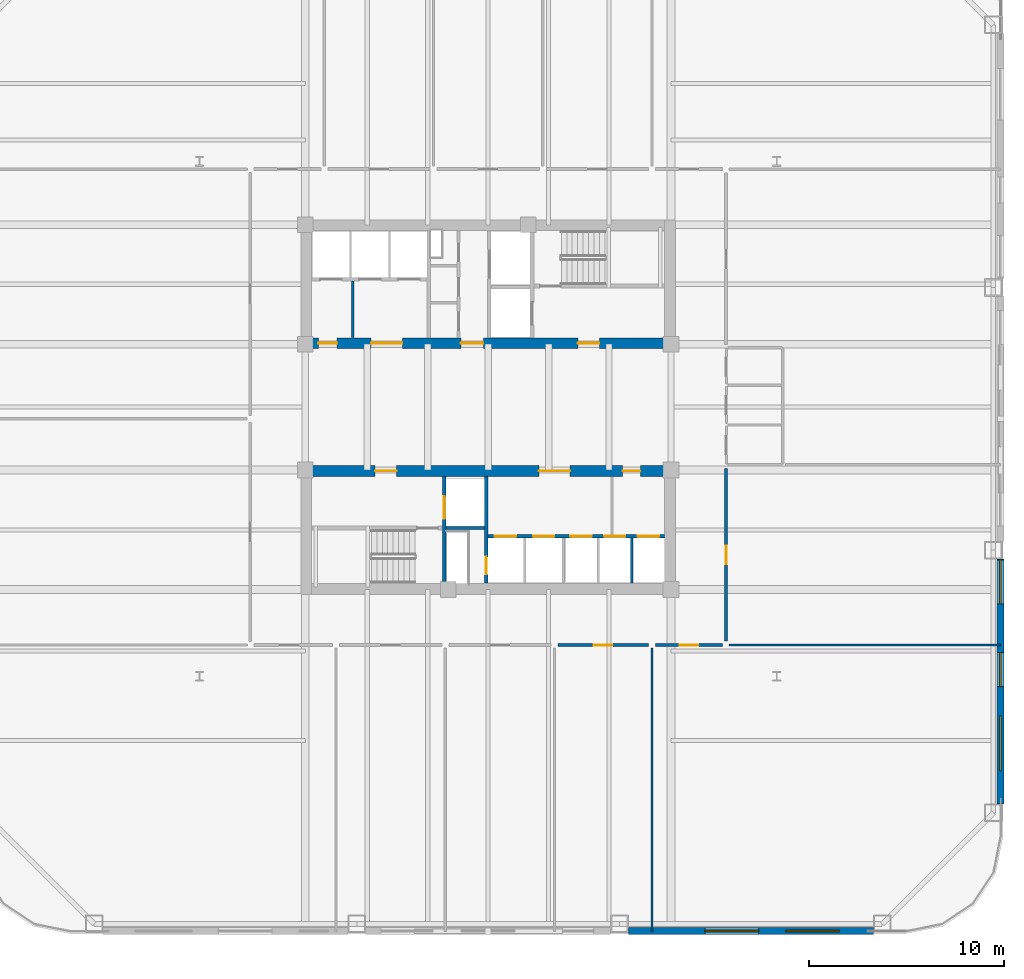
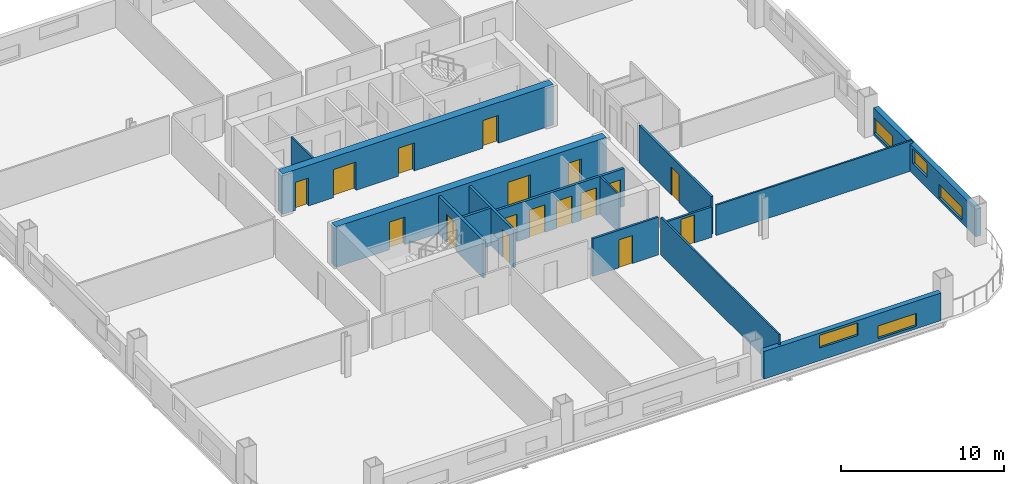
# One storey, part 3 of 12: 17 doors, 15 walls, 5 windows, 22 openings.
"""IFC4 building model written with IfcOpenShell, lengths in metres."""

from ifc_helpers import new_model, si_unit, direction, frame, frame_2d, origin, place, context, subcontext, project, spatial, rectangle, extrude, material, layer, layer_set, type_object, element, fill, save


model = new_model("IFC4")

# Units and contexts
model_context = context("Model", 3, precision=1e-05, world=origin(), true_north=direction((0.0, 1.0)))
body_context = subcontext(model_context, "Body", "Model", "MODEL_VIEW")
ifc_project = project(units=[si_unit("LENGTHUNIT", "METRE"), si_unit("AREAUNIT", "SQUARE_METRE"), si_unit("VOLUMEUNIT", "CUBIC_METRE"), si_unit("PLANEANGLEUNIT", "RADIAN"), si_unit("MASSUNIT", "GRAM", prefix="KILO")], contexts=[model_context])

# Site, building, storey
site_placement = place(None, origin())
site = spatial("IfcSite", under=ifc_project, at=site_placement, CompositionType="ELEMENT")
building_placement = place(site_placement, origin())
building = spatial("IfcBuilding", under=site, at=building_placement, Name="Qhalaya Broadcast Tower", CompositionType="ELEMENT")
storey_placement = place(building_placement, frame((0.0, 0.0, 41.35009765625)))
storey = spatial("IfcBuildingStorey", under=building, at=storey_placement, Name="L11", CompositionType="ELEMENT", Elevation=41.35009765625)

# Wall, opening, door
ifc_material_1 = material(Name="Gypsum Acoustic Partition")
ifc_layer_1 = layer(ifc_material_1, 0.14990234375, Name="Gypsum Acoustic Partition")
ifc_layer_set_1 = layer_set([ifc_layer_1], Name="Gypsum Acoustic Partition")
wall_type_1 = type_object("IfcWallType", Name="Corridor & Tenancy Acoustic Partition 150", PredefinedType="PARTITIONING", material=ifc_layer_set_1)
wall_1_placement = place(storey_placement, frame((3.580078125, -11.60009765625, 0.0), z_axis=(0.0, 0.0, 1.0), x_axis=(1.0, 0.0, 0.0)))
wall_1 = element("IfcWall", 1, at=wall_1_placement, inside=storey, type_object=wall_type_1, Name="L11 Partition Wall W-COR-09", PredefinedType="PARTITIONING", context=body_context, shape_type="SweptSolid", body=[
    extrude(rectangle(XDim=4.639892578125, YDim=0.14990234375, at=frame_2d((2.31982421875, 0.0))), origin(), (0.0, 0.0, 1.0), 2.829833984375),
])
opening_1_placement = place(wall_1_placement, frame((1.844970703125, 0.0, 0.0)))
opening_1 = element("IfcOpeningElement", 2, at=opening_1_placement, cuts=wall_1, Name="Opening D10", PredefinedType="OPENING", context=body_context, shape_type="SweptSolid", body=[
    extrude(rectangle(XDim=0.949951171875, YDim=2.10009765625, at=frame_2d((0.47509765625, 1.050048828125))), frame((0.0, 0.0869140625, 0.0), z_axis=(0.0, -1.0, 0.0), x_axis=(1.0, 0.0, 0.0)), (0.0, 0.0, 1.0), 0.173828125),
])
ifc_material_2 = material(Name="Timber Veneer Acoustic Door", Category="wood")
door_type_1 = type_object("IfcDoorType", Name="Cellular Office & Edit Booth Door D10", OperationType="NOTDEFINED", PredefinedType="DOOR", material=ifc_material_2)
door_1_placement = place(opening_1_placement, origin())
door_1 = element("IfcDoor", 3, at=door_1_placement, inside=storey, type_object=door_type_1, Name="L11 Door D-RM09", OperationType="SINGLE_SWING_LEFT", OverallHeight=2.10009765625, OverallWidth=0.949951171875, PredefinedType="DOOR", context=body_context, shape_type="SweptSolid", body=[
    extrude(rectangle(XDim=0.949951171875, YDim=2.10009765625, at=frame_2d((0.47509765625, 1.050048828125))), frame((0.0, 0.02490234375, 0.0), z_axis=(0.0, -1.0, 0.0), x_axis=(1.0, 0.0, 0.0)), (0.0, 0.0, 1.0), 0.050048828125),
])
fill(opening_1, door_1)

wall_2_placement = place(storey_placement, frame((8.580078125, -11.60009765625, 0.0), z_axis=(0.0, 0.0, 1.0), x_axis=(1.0, 0.0, 0.0)))
wall_2 = element("IfcWall", 4, at=wall_2_placement, inside=storey, type_object=wall_type_1, Name="L11 Partition Wall W-COR-10", PredefinedType="PARTITIONING", context=body_context, shape_type="SweptSolid", body=[
    extrude(rectangle(XDim=3.43994140625, YDim=0.14990234375, at=frame_2d((1.719970703125, 0.0))), origin(), (0.0, 0.0, 1.0), 2.27392578125),
])
opening_2_placement = place(wall_2_placement, frame((1.2451171875, 0.0, 0.0)))
opening_2 = element("IfcOpeningElement", 5, at=opening_2_placement, cuts=wall_2, Name="Opening D10", PredefinedType="OPENING", context=body_context, shape_type="SweptSolid", body=[
    extrude(rectangle(XDim=0.949951171875, YDim=2.10009765625, at=frame_2d((0.47509765625, 1.050048828125))), frame((0.0, 0.0869140625, 0.0), z_axis=(0.0, -1.0, 0.0), x_axis=(1.0, 0.0, 0.0)), (0.0, 0.0, 1.0), 0.173828125),
])
door_2_placement = place(opening_2_placement, origin())
door_2 = element("IfcDoor", 6, at=door_2_placement, inside=storey, type_object=door_type_1, Name="L11 Door D-RM10", OperationType="SINGLE_SWING_RIGHT", OverallHeight=2.10009765625, OverallWidth=0.949951171875, PredefinedType="DOOR", context=body_context, shape_type="SweptSolid", body=[
    extrude(rectangle(XDim=0.949951171875, YDim=2.10009765625, at=frame_2d((0.47509765625, 1.050048828125))), frame((0.0, 0.02490234375, 0.0), z_axis=(0.0, -1.0, 0.0), x_axis=(1.0, 0.0, 0.0)), (0.0, 0.0, 1.0), 0.050048828125),
])
fill(opening_2, door_2)

wall_3_placement = place(storey_placement, frame((12.199951171875, -11.39990234375, 0.0), z_axis=(0.0, 0.0, 1.0), x_axis=(0.0, 1.0, 0.0)))
wall_3 = element("IfcWall", 7, at=wall_3_placement, inside=storey, type_object=wall_type_1, Name="L11 Partition Wall W-COR-13", PredefinedType="PARTITIONING", context=body_context, shape_type="SweptSolid", body=[
    extrude(rectangle(XDim=8.83984375, YDim=0.14990234375, at=frame_2d((4.419921875, 0.0))), origin(), (0.0, 0.0, 1.0), 2.829833984375),
])
opening_3_placement = place(wall_3_placement, frame((3.945068359375, 0.0, 0.0)))
opening_3 = element("IfcOpeningElement", 8, at=opening_3_placement, cuts=wall_3, Name="Opening D10", PredefinedType="OPENING", context=body_context, shape_type="SweptSolid", body=[
    extrude(rectangle(XDim=0.949951171875, YDim=2.10009765625, at=frame_2d((0.47509765625, 1.050048828125))), frame((0.0, 0.0869140625, 0.0), z_axis=(0.0, -1.0, 0.0), x_axis=(1.0, 0.0, 0.0)), (0.0, 0.0, 1.0), 0.173828125),
])
door_3_placement = place(opening_3_placement, origin())
door_3 = element("IfcDoor", 9, at=door_3_placement, inside=storey, type_object=door_type_1, Name="L11 Door D-RM13", OperationType="SINGLE_SWING_LEFT", OverallHeight=2.10009765625, OverallWidth=0.949951171875, PredefinedType="DOOR", context=body_context, shape_type="SweptSolid", body=[
    extrude(rectangle(XDim=0.949951171875, YDim=2.10009765625, at=frame_2d((0.47509765625, 1.050048828125))), frame((0.0, 0.02490234375, 0.0), z_axis=(0.0, -1.0, 0.0), x_axis=(1.0, 0.0, 0.0)), (0.0, 0.0, 1.0), 0.050048828125),
])
fill(opening_3, door_3)

# Wall, openings, windows
ifc_material_3 = material(Name="Precast Concrete C40/50", Category="concrete")
ifc_layer_2 = layer(ifc_material_3, 0.360107421875, Name="Precast Concrete C40/50")
ifc_layer_set_2 = layer_set([ifc_layer_2], Name="Precast Concrete C40/50")
wall_type_2 = type_object("IfcWallType", Name="Insulated Precast Terracotta Exterior Wall 360", PredefinedType="SOLIDWALL", material=ifc_layer_set_2)
wall_4_placement = place(storey_placement, frame((19.761962890625, -26.260009765625, 0.0), z_axis=(0.0, 0.0, 1.0), x_axis=(-1.0, 0.0, 0.0)))
wall_4 = element("IfcWall", 10, at=wall_4_placement, inside=storey, type_object=wall_type_2, Name="L11 Exoskeleton Diagrid Infill Wall S1", PredefinedType="SOLIDWALL", context=body_context, shape_type="SweptSolid", body=[
    extrude(rectangle(XDim=12.57861328125, YDim=0.360107421875, at=frame_2d((6.289306640625, 0.0))), origin(), (0.0, 0.0, 1.0), 2.06689453125),
])
opening_4_placement = place(wall_4_placement, frame((1.75, 0.0, 0.199951171875)))
opening_4 = element("IfcOpeningElement", 11, at=opening_4_placement, cuts=wall_4, Name="Opening W11", PredefinedType="OPENING", context=body_context, shape_type="SweptSolid", body=[
    extrude(rectangle(XDim=2.75, YDim=0.949951171875, at=frame_2d((1.375, 0.47509765625))), frame((0.0, 0.192138671875, 0.0), z_axis=(0.0, -1.0, 0.0), x_axis=(1.0, 0.0, 0.0)), (0.0, 0.0, 1.0), 0.384033203125),
])
opening_5_placement = place(wall_4_placement, frame((5.89990234375, 0.0, 0.949951171875)))
opening_5 = element("IfcOpeningElement", 12, at=opening_5_placement, cuts=wall_4, Name="Opening W11", PredefinedType="OPENING", context=body_context, shape_type="SweptSolid", body=[
    extrude(rectangle(XDim=2.75, YDim=0.949951171875, at=frame_2d((1.375, 0.47509765625))), frame((0.0, 0.192138671875, 0.0), z_axis=(0.0, -1.0, 0.0), x_axis=(1.0, 0.0, 0.0)), (0.0, 0.0, 1.0), 0.384033203125),
])
ifc_material_4 = material(Name="Solar-Control Low-E Triple Glazing", Category="glass")
window_type = type_object("IfcWindowType", Name="Odd-Block Diagrid Infill Window W11", PartitioningType="SINGLE_PANEL", PredefinedType="WINDOW", material=ifc_material_4)
window_1_placement = place(opening_4_placement, origin())
window_1 = element("IfcWindow", 13, at=window_1_placement, inside=storey, type_object=window_type, Name="L11 Diagrid Infill Window W11-S1", OverallHeight=0.949951171875, OverallWidth=2.75, PartitioningType="SINGLE_PANEL", PredefinedType="WINDOW", context=body_context, shape_type="SweptSolid", body=[
    extrude(rectangle(XDim=2.75, YDim=0.949951171875, at=frame_2d((1.375, 0.47509765625))), frame((0.0, 0.030029296875, 0.0), z_axis=(0.0, -1.0, 0.0), x_axis=(1.0, 0.0, 0.0)), (0.0, 0.0, 1.0), 0.06005859375),
])
fill(opening_4, window_1)
window_2_placement = place(opening_5_placement, origin())
window_2 = element("IfcWindow", 14, at=window_2_placement, inside=storey, type_object=window_type, Name="L11 Diagrid Infill Window W11-S2", OverallHeight=0.949951171875, OverallWidth=2.75, PartitioningType="SINGLE_PANEL", PredefinedType="WINDOW", context=body_context, shape_type="SweptSolid", body=[
    extrude(rectangle(XDim=2.75, YDim=0.949951171875, at=frame_2d((1.375, 0.47509765625))), frame((0.0, 0.030029296875, 0.0), z_axis=(0.0, -1.0, 0.0), x_axis=(1.0, 0.0, 0.0)), (0.0, 0.0, 1.0), 0.06005859375),
])
fill(opening_5, window_2)

wall_5_placement = place(storey_placement, frame((26.260009765625, -7.183349609375, 0.0), z_axis=(0.0, 0.0, 1.0), x_axis=(0.0, -1.0, 0.0)))
wall_5 = element("IfcWall", 15, at=wall_5_placement, inside=storey, type_object=wall_type_2, Name="L11 Exoskeleton Diagrid Infill Wall E3", PredefinedType="SOLIDWALL", context=body_context, shape_type="SweptSolid", body=[
    extrude(rectangle(XDim=12.57861328125, YDim=0.360107421875, at=frame_2d((6.289306640625, 0.0))), origin(), (0.0, 0.0, 1.0), 2.06689453125),
])
opening_6_placement = place(wall_5_placement, frame((0.054931640625, 0.0, 0.199951171875)))
opening_6 = element("IfcOpeningElement", 16, at=opening_6_placement, cuts=wall_5, Name="Opening W11", PredefinedType="OPENING", context=body_context, shape_type="SweptSolid", body=[
    extrude(rectangle(XDim=2.25, YDim=1.14990234375, at=frame_2d((1.125, 0.574951171875))), frame((0.0, 0.192138671875, 0.0), z_axis=(0.0, -1.0, 0.0), x_axis=(1.0, 0.0, 0.0)), (0.0, 0.0, 1.0), 0.384033203125),
])
opening_7_placement = place(wall_5_placement, frame((4.804931640625, 0.0, 0.800048828125)))
opening_7 = element("IfcOpeningElement", 17, at=opening_7_placement, cuts=wall_5, Name="Opening W11", PredefinedType="OPENING", context=body_context, shape_type="SweptSolid", body=[
    extrude(rectangle(XDim=1.75, YDim=1.10009765625, at=frame_2d((0.875, 0.550048828125))), frame((0.0, 0.192138671875, 0.0), z_axis=(0.0, -1.0, 0.0), x_axis=(1.0, 0.0, 0.0)), (0.0, 0.0, 1.0), 0.384033203125),
])
opening_8_placement = place(wall_5_placement, frame((8.054931640625, 0.0, 0.199951171875)))
opening_8 = element("IfcOpeningElement", 18, at=opening_8_placement, cuts=wall_5, Name="Opening W11", PredefinedType="OPENING", context=body_context, shape_type="SweptSolid", body=[
    extrude(rectangle(XDim=2.800048828125, YDim=1.0, at=frame_2d((1.39990234375, 0.5))), frame((0.0, 0.192138671875, 0.0), z_axis=(0.0, -1.0, 0.0), x_axis=(1.0, 0.0, 0.0)), (0.0, 0.0, 1.0), 0.384033203125),
])
window_3_placement = place(opening_6_placement, origin())
window_3 = element("IfcWindow", 19, at=window_3_placement, inside=storey, type_object=window_type, Name="L11 Diagrid Infill Window W11-E7", OverallHeight=1.14990234375, OverallWidth=2.25, PartitioningType="SINGLE_PANEL", PredefinedType="WINDOW", context=body_context, shape_type="SweptSolid", body=[
    extrude(rectangle(XDim=2.25, YDim=1.14990234375, at=frame_2d((1.125, 0.574951171875))), frame((0.0, 0.030029296875, 0.0), z_axis=(0.0, -1.0, 0.0), x_axis=(1.0, 0.0, 0.0)), (0.0, 0.0, 1.0), 0.06005859375),
])
fill(opening_6, window_3)
window_4_placement = place(opening_7_placement, origin())
window_4 = element("IfcWindow", 20, at=window_4_placement, inside=storey, type_object=window_type, Name="L11 Diagrid Infill Window W11-E8", OverallHeight=1.10009765625, OverallWidth=1.75, PartitioningType="SINGLE_PANEL", PredefinedType="WINDOW", context=body_context, shape_type="SweptSolid", body=[
    extrude(rectangle(XDim=1.75, YDim=1.10009765625, at=frame_2d((0.875, 0.550048828125))), frame((0.0, 0.030029296875, 0.0), z_axis=(0.0, -1.0, 0.0), x_axis=(1.0, 0.0, 0.0)), (0.0, 0.0, 1.0), 0.06005859375),
])
fill(opening_7, window_4)
window_5_placement = place(opening_8_placement, origin())
window_5 = element("IfcWindow", 21, at=window_5_placement, inside=storey, type_object=window_type, Name="L11 Diagrid Infill Window W11-E9", OverallHeight=1.0, OverallWidth=2.800048828125, PartitioningType="SINGLE_PANEL", PredefinedType="WINDOW", context=body_context, shape_type="SweptSolid", body=[
    extrude(rectangle(XDim=2.800048828125, YDim=1.0, at=frame_2d((1.39990234375, 0.5))), frame((0.0, 0.030029296875, 0.0), z_axis=(0.0, -1.0, 0.0), x_axis=(1.0, 0.0, 0.0)), (0.0, 0.0, 1.0), 0.06005859375),
])
fill(opening_8, window_5)

# Wall, opening, door
ifc_material_5 = material(Name="Concrete C50/60", Category="concrete")
ifc_layer_3 = layer(ifc_material_5, 0.199951171875, Name="Concrete C50/60")
ifc_layer_set_3 = layer_set([ifc_layer_3], Name="Concrete C50/60")
wall_type_3 = type_object("IfcWallType", Name="Load-Bearing Stair Shaft Wall 200", PredefinedType="SHEAR", material=ifc_layer_set_3)
wall_6_placement = place(storey_placement, frame((-2.25, -8.429931640625, 0.0), z_axis=(0.0, 0.0, 1.0), x_axis=(0.0, 1.0, 0.0)))
wall_6 = element("IfcWall", 22, at=wall_6_placement, inside=storey, type_object=wall_type_3, Name="L11 Stair Core Shear Wall SCW-FF", PredefinedType="SHEAR", context=body_context, shape_type="SweptSolid", body=[
    extrude(rectangle(XDim=5.4599609375, YDim=0.199951171875, at=frame_2d((2.72998046875, 0.0))), origin(), (0.0, 0.0, 1.0), 2.829833984375),
])
opening_9_placement = place(wall_6_placement, frame((3.300048828125, 0.0, 0.0)))
opening_9 = element("IfcOpeningElement", 23, at=opening_9_placement, cuts=wall_6, Name="Opening LD2", PredefinedType="OPENING", context=body_context, shape_type="SweptSolid", body=[
    extrude(rectangle(XDim=1.14990234375, YDim=2.080078125, at=frame_2d((0.574951171875, 1.0400390625))), frame((0.0, 0.112060546875, 0.0), z_axis=(0.0, -1.0, 0.0), x_axis=(1.0, 0.0, 0.0)), (0.0, 0.0, 1.0), 0.223876953125),
])
ifc_material_6 = material(Name="Brushed Stainless Steel Lift Door", Category="steel")
door_type_2 = type_object("IfcDoorType", Name="Firefighting Lift Sliding Landing Door LD2", OperationType="DOUBLE_DOOR_SLIDING", PredefinedType="DOOR", material=ifc_material_6)
door_4_placement = place(opening_9_placement, origin())
door_4 = element("IfcDoor", 24, at=door_4_placement, inside=storey, type_object=door_type_2, Name="L11 Door LD-FF2", OperationType="DOUBLE_DOOR_SLIDING", OverallHeight=2.080078125, OverallWidth=1.14990234375, PredefinedType="DOOR", context=body_context, shape_type="SweptSolid", body=[
    extrude(rectangle(XDim=1.14990234375, YDim=2.080078125, at=frame_2d((0.574951171875, 1.0400390625))), frame((0.0, 0.02490234375, 0.0), z_axis=(0.0, -1.0, 0.0), x_axis=(1.0, 0.0, 0.0)), (0.0, 0.0, 1.0), 0.050048828125),
])
fill(opening_9, door_4)

# Wall, openings, doors
ifc_material_7 = material(Name="Concrete C60/75", Category="concrete")
ifc_layer_4 = layer(ifc_material_7, 0.550048828125, Name="Concrete C60/75")
ifc_layer_set_4 = layer_set([ifc_layer_4], Name="Concrete C60/75")
wall_type_4 = type_object("IfcWallType", Name="Lower Split-Core Shear Wall 550", PredefinedType="SHEAR", material=ifc_layer_set_4)
wall_7_placement = place(storey_placement, frame((-9.60009765625, 3.875, 0.0), z_axis=(0.0, 0.0, 1.0), x_axis=(1.0, 0.0, 0.0)))
wall_7 = element("IfcWall", 25, at=wall_7_placement, inside=storey, type_object=wall_type_4, Name="L11 Split-Core Shear Wall CW-NS", PredefinedType="SHEAR", context=body_context, shape_type="SweptSolid", body=[
    extrude(rectangle(XDim=19.2001953125, YDim=0.550048828125, at=frame_2d((9.60009765625, 0.0))), origin(), (0.0, 0.0, 1.0), 3.0498046875),
])
opening_10_placement = place(wall_7_placement, frame((14.199951171875, 0.0, 0.0)))
opening_10 = element("IfcOpeningElement", 26, at=opening_10_placement, cuts=wall_7, Name="Opening D04", PredefinedType="OPENING", context=body_context, shape_type="SweptSolid", body=[
    extrude(rectangle(XDim=1.10009765625, YDim=2.080078125, at=frame_2d((0.550048828125, 1.0400390625))), frame((0.0, 0.287109375, 0.0), z_axis=(0.0, -1.0, 0.0), x_axis=(1.0, 0.0, 0.0)), (0.0, 0.0, 1.0), 0.573974609375),
])
opening_11_placement = place(wall_7_placement, frame((8.199951171875, 0.0, 0.0)))
opening_11 = element("IfcOpeningElement", 27, at=opening_11_placement, cuts=wall_7, Name="Opening D05", PredefinedType="OPENING", context=body_context, shape_type="SweptSolid", body=[
    extrude(rectangle(XDim=1.14990234375, YDim=2.10009765625, at=frame_2d((0.574951171875, 1.050048828125))), frame((0.0, 0.287109375, 0.0), z_axis=(0.0, -1.0, 0.0), x_axis=(1.0, 0.0, 0.0)), (0.0, 0.0, 1.0), 0.573974609375),
])
opening_12_placement = place(wall_7_placement, frame((0.89990234375, 0.0, 0.0)))
opening_12 = element("IfcOpeningElement", 28, at=opening_12_placement, cuts=wall_7, Name="Opening D10", PredefinedType="OPENING", context=body_context, shape_type="SweptSolid", body=[
    extrude(rectangle(XDim=0.949951171875, YDim=2.10009765625, at=frame_2d((0.47509765625, 1.050048828125))), frame((0.0, 0.287109375, 0.0), z_axis=(0.0, -1.0, 0.0), x_axis=(1.0, 0.0, 0.0)), (0.0, 0.0, 1.0), 0.573974609375),
])
opening_13_placement = place(wall_7_placement, frame((3.60009765625, 0.0, 0.0)))
opening_13 = element("IfcOpeningElement", 29, at=opening_13_placement, cuts=wall_7, Name="Opening D07", PredefinedType="OPENING", context=body_context, shape_type="SweptSolid", body=[
    extrude(rectangle(XDim=1.60009765625, YDim=2.1201171875, at=frame_2d((0.800048828125, 1.06005859375))), frame((0.0, 0.287109375, 0.0), z_axis=(0.0, -1.0, 0.0), x_axis=(1.0, 0.0, 0.0)), (0.0, 0.0, 1.0), 0.573974609375),
])
door_5_placement = place(opening_12_placement, origin())
door_5 = element("IfcDoor", 30, at=door_5_placement, inside=storey, type_object=door_type_1, Name="L11 Door D-NLPNT", OperationType="SINGLE_SWING_RIGHT", OverallHeight=2.10009765625, OverallWidth=0.949951171875, PredefinedType="DOOR", context=body_context, shape_type="SweptSolid", body=[
    extrude(rectangle(XDim=0.949951171875, YDim=2.10009765625, at=frame_2d((0.47509765625, 1.050048828125))), frame((0.0, 0.02490234375, 0.0), z_axis=(0.0, -1.0, 0.0), x_axis=(1.0, 0.0, 0.0)), (0.0, 0.0, 1.0), 0.050048828125),
])
fill(opening_12, door_5)
ifc_material_8 = material(Name="Fire-Rated Steel Door", Category="steel")
door_type_3 = type_object("IfcDoorType", Name="Firefighting Lobby Rated Door D04", OperationType="NOTDEFINED", PredefinedType="DOOR", material=ifc_material_8)
door_6_placement = place(opening_10_placement, origin())
door_6 = element("IfcDoor", 31, at=door_6_placement, inside=storey, type_object=door_type_3, Name="L11 Door D-NFF", OperationType="SINGLE_SWING_RIGHT", OverallHeight=2.080078125, OverallWidth=1.10009765625, PredefinedType="DOOR", context=body_context, shape_type="SweptSolid", body=[
    extrude(rectangle(XDim=1.10009765625, YDim=2.080078125, at=frame_2d((0.550048828125, 1.0400390625))), frame((0.0, 0.02490234375, 0.0), z_axis=(0.0, -1.0, 0.0), x_axis=(1.0, 0.0, 0.0)), (0.0, 0.0, 1.0), 0.050048828125),
])
fill(opening_10, door_6)
ifc_material_9 = material(Name="Anodised Aluminium Glazed Door", Category="aluminium")
door_type_4 = type_object("IfcDoorType", Name="Passenger Lift Lobby Double Glazed Door D07", OperationType="DOUBLE_DOOR_SINGLE_SWING", PredefinedType="DOOR", material=ifc_material_9)
door_7_placement = place(opening_13_placement, origin())
door_7 = element("IfcDoor", 32, at=door_7_placement, inside=storey, type_object=door_type_4, Name="L11 Door D-NPLL", OperationType="DOUBLE_DOOR_SINGLE_SWING", OverallHeight=2.1201171875, OverallWidth=1.60009765625, PredefinedType="DOOR", context=body_context, shape_type="SweptSolid", body=[
    extrude(rectangle(XDim=1.60009765625, YDim=2.1201171875, at=frame_2d((0.800048828125, 1.06005859375))), frame((0.0, 0.02490234375, 0.0), z_axis=(0.0, -1.0, 0.0), x_axis=(1.0, 0.0, 0.0)), (0.0, 0.0, 1.0), 0.050048828125),
])
fill(opening_13, door_7)
door_type_5 = type_object("IfcDoorType", Name="Refuge & Plant Room Fire Door D05", OperationType="NOTDEFINED", PredefinedType="DOOR", material=ifc_material_8)
door_8_placement = place(opening_11_placement, origin())
door_8 = element("IfcDoor", 33, at=door_8_placement, inside=storey, type_object=door_type_5, Name="L11 Door D-NSVL", OperationType="SINGLE_SWING_LEFT", OverallHeight=2.10009765625, OverallWidth=1.14990234375, PredefinedType="DOOR", context=body_context, shape_type="SweptSolid", body=[
    extrude(rectangle(XDim=1.14990234375, YDim=2.10009765625, at=frame_2d((0.574951171875, 1.050048828125))), frame((0.0, 0.02490234375, 0.0), z_axis=(0.0, -1.0, 0.0), x_axis=(1.0, 0.0, 0.0)), (0.0, 0.0, 1.0), 0.050048828125),
])
fill(opening_11, door_8)

wall_8_placement = place(storey_placement, frame((-9.60009765625, -2.675048828125, 0.0), z_axis=(0.0, 0.0, 1.0), x_axis=(1.0, 0.0, 0.0)))
wall_8 = element("IfcWall", 34, at=wall_8_placement, inside=storey, type_object=wall_type_4, Name="L11 Split-Core Shear Wall CW-SN", PredefinedType="SHEAR", context=body_context, shape_type="SweptSolid", body=[
    extrude(rectangle(XDim=19.2001953125, YDim=0.550048828125, at=frame_2d((9.60009765625, 0.0))), origin(), (0.0, 0.0, 1.0), 3.0498046875),
])
opening_14_placement = place(wall_8_placement, frame((3.800048828125, 0.0, 0.0)))
opening_14 = element("IfcOpeningElement", 35, at=opening_14_placement, cuts=wall_8, Name="Opening D04", PredefinedType="OPENING", context=body_context, shape_type="SweptSolid", body=[
    extrude(rectangle(XDim=1.10009765625, YDim=2.080078125, at=frame_2d((0.550048828125, 1.0400390625))), frame((0.0, 0.287109375, 0.0), z_axis=(0.0, -1.0, 0.0), x_axis=(1.0, 0.0, 0.0)), (0.0, 0.0, 1.0), 0.573974609375),
])
opening_15_placement = place(wall_8_placement, frame((12.199951171875, 0.0, 0.0)))
opening_15 = element("IfcOpeningElement", 36, at=opening_15_placement, cuts=wall_8, Name="Opening D07", PredefinedType="OPENING", context=body_context, shape_type="SweptSolid", body=[
    extrude(rectangle(XDim=1.60009765625, YDim=2.1201171875, at=frame_2d((0.800048828125, 1.06005859375))), frame((0.0, 0.287109375, 0.0), z_axis=(0.0, -1.0, 0.0), x_axis=(1.0, 0.0, 0.0)), (0.0, 0.0, 1.0), 0.573974609375),
])
opening_16_placement = place(wall_8_placement, frame((16.5, 0.0, 0.0)))
opening_16 = element("IfcOpeningElement", 37, at=opening_16_placement, cuts=wall_8, Name="Opening D06", PredefinedType="OPENING", context=body_context, shape_type="SweptSolid", body=[
    extrude(rectangle(XDim=0.89990234375, YDim=2.050048828125, at=frame_2d((0.449951171875, 1.02490234375))), frame((0.0, 0.287109375, 0.0), z_axis=(0.0, -1.0, 0.0), x_axis=(1.0, 0.0, 0.0)), (0.0, 0.0, 1.0), 0.573974609375),
])
door_9_placement = place(opening_14_placement, origin())
door_9 = element("IfcDoor", 38, at=door_9_placement, inside=storey, type_object=door_type_3, Name="L11 Door D-SFF", OperationType="SINGLE_SWING_LEFT", OverallHeight=2.080078125, OverallWidth=1.10009765625, PredefinedType="DOOR", context=body_context, shape_type="SweptSolid", body=[
    extrude(rectangle(XDim=1.10009765625, YDim=2.080078125, at=frame_2d((0.550048828125, 1.0400390625))), frame((0.0, 0.02490234375, 0.0), z_axis=(0.0, -1.0, 0.0), x_axis=(1.0, 0.0, 0.0)), (0.0, 0.0, 1.0), 0.050048828125),
])
fill(opening_14, door_9)
door_10_placement = place(opening_15_placement, origin())
door_10 = element("IfcDoor", 39, at=door_10_placement, inside=storey, type_object=door_type_4, Name="L11 Door D-SPLL", OperationType="DOUBLE_DOOR_SINGLE_SWING", OverallHeight=2.1201171875, OverallWidth=1.60009765625, PredefinedType="DOOR", context=body_context, shape_type="SweptSolid", body=[
    extrude(rectangle(XDim=1.60009765625, YDim=2.1201171875, at=frame_2d((0.800048828125, 1.06005859375))), frame((0.0, 0.02490234375, 0.0), z_axis=(0.0, -1.0, 0.0), x_axis=(1.0, 0.0, 0.0)), (0.0, 0.0, 1.0), 0.050048828125),
])
fill(opening_15, door_10)
door_type_6 = type_object("IfcDoorType", Name="Riser & Electrical Shaft Access Door D06", OperationType="NOTDEFINED", PredefinedType="DOOR", material=ifc_material_8)
door_11_placement = place(opening_16_placement, origin())
door_11 = element("IfcDoor", 40, at=door_11_placement, inside=storey, type_object=door_type_6, Name="L11 Door D-SSCST", OperationType="SINGLE_SWING_LEFT", OverallHeight=2.050048828125, OverallWidth=0.89990234375, PredefinedType="DOOR", context=body_context, shape_type="SweptSolid", body=[
    extrude(rectangle(XDim=0.89990234375, YDim=2.050048828125, at=frame_2d((0.449951171875, 1.02490234375))), frame((0.0, 0.02490234375, 0.0), z_axis=(0.0, -1.0, 0.0), x_axis=(1.0, 0.0, 0.0)), (0.0, 0.0, 1.0), 0.050048828125),
])
fill(opening_16, door_11)

# Walls
ifc_layer_5 = layer(ifc_material_1, 0.1201171875, Name="Gypsum Acoustic Partition")
ifc_layer_set_5 = layer_set([ifc_layer_5], Name="Gypsum Acoustic Partition")
wall_type_5 = type_object("IfcWallType", Name="Office, Booth & Sanitary Partition 120", PredefinedType="PARTITIONING", material=ifc_layer_set_5)
wall_9_placement = place(storey_placement, frame((-6.949951171875, 4.169921875, 0.0), z_axis=(0.0, 0.0, 1.0), x_axis=(0.0, 1.0, 0.0)))
element("IfcWall", 41, at=wall_9_placement, inside=storey, type_object=wall_type_5, Name="L11 Partition Wall NCW-LKB", PredefinedType="PARTITIONING", context=body_context, shape_type="SweptSolid", body=[
    extrude(rectangle(XDim=2.89013671875, YDim=0.1201171875, at=frame_2d((1.445068359375, 0.0))), origin(), (0.0, 0.0, 1.0), 2.829833984375),
])
wall_10_placement = place(storey_placement, frame((7.360107421875, -8.429931640625, 0.0), z_axis=(0.0, 0.0, 1.0), x_axis=(0.0, 1.0, 0.0)))
element("IfcWall", 42, at=wall_10_placement, inside=storey, type_object=wall_type_5, Name="L11 Partition Wall SCW-HD7", PredefinedType="PARTITIONING", context=body_context, shape_type="SweptSolid", body=[
    extrude(rectangle(XDim=2.329833984375, YDim=0.1201171875, at=frame_2d((1.1650390625, 0.0))), origin(), (0.0, 0.0, 1.0), 2.829833984375),
])
wall_11_placement = place(storey_placement, frame((12.340087890625, -11.60009765625, 0.0), z_axis=(0.0, 0.0, 1.0), x_axis=(1.0, 0.0, 0.0)))
element("IfcWall", 43, at=wall_11_placement, inside=storey, type_object=wall_type_5, Name="L11 Partition Wall W-BNDE2", PredefinedType="PARTITIONING", context=body_context, shape_type="SweptSolid", body=[
    extrude(rectangle(XDim=13.93994140625, YDim=0.1201171875, at=frame_2d((6.969970703125, 0.0))), origin(), (0.0, 0.0, 1.0), 2.27392578125),
])
wall_12_placement = place(storey_placement, frame((8.39990234375, -26.280029296875, 0.0), z_axis=(0.0, 0.0, 1.0), x_axis=(0.0, 1.0, 0.0)))
element("IfcWall", 44, at=wall_12_placement, inside=storey, type_object=wall_type_5, Name="L11 Partition Wall W-DIVS4", PredefinedType="PARTITIONING", context=body_context, shape_type="SweptSolid", body=[
    extrude(rectangle(XDim=14.52001953125, YDim=0.1201171875, at=frame_2d((7.260009765625, 0.0))), origin(), (0.0, 0.0, 1.0), 2.829833984375),
])

# Wall, opening, door
ifc_layer_6 = layer(ifc_material_1, 0.175048828125, Name="Gypsum Acoustic Partition")
ifc_layer_set_6 = layer_set([ifc_layer_6], Name="Gypsum Acoustic Partition")
wall_type_6 = type_object("IfcWallType", Name="Shaft & Riser Fire Partition 175", PredefinedType="PARTITIONING", material=ifc_layer_set_6)
wall_13_placement = place(storey_placement, frame((-0.10009765625, -8.429931640625, 0.0), z_axis=(0.0, 0.0, 1.0), x_axis=(0.0, 1.0, 0.0)))
wall_13 = element("IfcWall", 45, at=wall_13_placement, inside=storey, type_object=wall_type_6, Name="L11 Partition Wall SCW-FFE", PredefinedType="PARTITIONING", context=body_context, shape_type="SweptSolid", body=[
    extrude(rectangle(XDim=5.4599609375, YDim=0.175048828125, at=frame_2d((2.72998046875, 0.0))), origin(), (0.0, 0.0, 1.0), 2.829833984375),
])
opening_17_placement = place(wall_13_placement, frame((0.449951171875, 0.0, 0.0)))
opening_17 = element("IfcOpeningElement", 46, at=opening_17_placement, cuts=wall_13, Name="Opening D06", PredefinedType="OPENING", context=body_context, shape_type="SweptSolid", body=[
    extrude(rectangle(XDim=0.89990234375, YDim=2.050048828125, at=frame_2d((0.449951171875, 1.02490234375))), frame((0.0, 0.099609375, 0.0), z_axis=(0.0, -1.0, 0.0), x_axis=(1.0, 0.0, 0.0)), (0.0, 0.0, 1.0), 0.198974609375),
])
door_12_placement = place(opening_17_placement, origin())
door_12 = element("IfcDoor", 47, at=door_12_placement, inside=storey, type_object=door_type_6, Name="L11 Riser Shaft Access Door D-SRSR", OperationType="SINGLE_SWING_LEFT", OverallHeight=2.050048828125, OverallWidth=0.89990234375, PredefinedType="DOOR", context=body_context, shape_type="SweptSolid", body=[
    extrude(rectangle(XDim=0.89990234375, YDim=2.050048828125, at=frame_2d((0.449951171875, 1.02490234375))), frame((0.0, 0.02490234375, 0.0), z_axis=(0.0, -1.0, 0.0), x_axis=(1.0, 0.0, 0.0)), (0.0, 0.0, 1.0), 0.050048828125),
])
fill(opening_17, door_12)

# Wall
wall_14_placement = place(storey_placement, frame((-2.14990234375, -5.60009765625, 0.0), z_axis=(0.0, 0.0, 1.0), x_axis=(1.0, 0.0, 0.0)))
element("IfcWall", 48, at=wall_14_placement, inside=storey, type_object=wall_type_6, Name="L11 Partition Wall SCW-FFM", PredefinedType="PARTITIONING", context=body_context, shape_type="SweptSolid", body=[
    extrude(rectangle(XDim=1.969970703125, YDim=0.175048828125, at=frame_2d((0.98486328125, 0.0))), origin(), (0.0, 0.0, 1.0), 2.829833984375),
])

# Wall, openings, doors
wall_15_placement = place(storey_placement, frame((0.0, -6.02001953125, 0.0), z_axis=(0.0, 0.0, 1.0), x_axis=(1.0, 0.0, 0.0)))
wall_15 = element("IfcWall", 49, at=wall_15_placement, inside=storey, type_object=wall_type_6, Name="L11 Partition Wall SCW-SLB", PredefinedType="PARTITIONING", context=body_context, shape_type="SweptSolid", body=[
    extrude(rectangle(XDim=9.030029296875, YDim=0.175048828125, at=frame_2d((4.51513671875, 0.0))), origin(), (0.0, 0.0, 1.0), 2.829833984375),
])
opening_18_placement = place(wall_15_placement, frame((0.330078125, 0.0, 0.0)))
opening_18 = element("IfcOpeningElement", 50, at=opening_18_placement, cuts=wall_15, Name="Opening LD1", PredefinedType="OPENING", context=body_context, shape_type="SweptSolid", body=[
    extrude(rectangle(XDim=1.10009765625, YDim=2.06005859375, at=frame_2d((0.550048828125, 1.030029296875))), frame((0.0, 0.099609375, 0.0), z_axis=(0.0, -1.0, 0.0), x_axis=(1.0, 0.0, 0.0)), (0.0, 0.0, 1.0), 0.198974609375),
])
opening_19_placement = place(wall_15_placement, frame((2.300048828125, 0.0, 0.0)))
opening_19 = element("IfcOpeningElement", 51, at=opening_19_placement, cuts=wall_15, Name="Opening LD1", PredefinedType="OPENING", context=body_context, shape_type="SweptSolid", body=[
    extrude(rectangle(XDim=1.10009765625, YDim=2.06005859375, at=frame_2d((0.550048828125, 1.030029296875))), frame((0.0, 0.099609375, 0.0), z_axis=(0.0, -1.0, 0.0), x_axis=(1.0, 0.0, 0.0)), (0.0, 0.0, 1.0), 0.198974609375),
])
opening_20_placement = place(wall_15_placement, frame((4.219970703125, 0.0, 0.0)))
opening_20 = element("IfcOpeningElement", 52, at=opening_20_placement, cuts=wall_15, Name="Opening LD1", PredefinedType="OPENING", context=body_context, shape_type="SweptSolid", body=[
    extrude(rectangle(XDim=1.10009765625, YDim=2.06005859375, at=frame_2d((0.550048828125, 1.030029296875))), frame((0.0, 0.099609375, 0.0), z_axis=(0.0, -1.0, 0.0), x_axis=(1.0, 0.0, 0.0)), (0.0, 0.0, 1.0), 0.198974609375),
])
opening_21_placement = place(wall_15_placement, frame((5.93994140625, 0.0, 0.0)))
opening_21 = element("IfcOpeningElement", 53, at=opening_21_placement, cuts=wall_15, Name="Opening LD1", PredefinedType="OPENING", context=body_context, shape_type="SweptSolid", body=[
    extrude(rectangle(XDim=1.10009765625, YDim=2.06005859375, at=frame_2d((0.550048828125, 1.030029296875))), frame((0.0, 0.099609375, 0.0), z_axis=(0.0, -1.0, 0.0), x_axis=(1.0, 0.0, 0.0)), (0.0, 0.0, 1.0), 0.198974609375),
])
opening_22_placement = place(wall_15_placement, frame((7.659912109375, 0.0, 0.0)))
opening_22 = element("IfcOpeningElement", 54, at=opening_22_placement, cuts=wall_15, Name="Opening LD1", PredefinedType="OPENING", context=body_context, shape_type="SweptSolid", body=[
    extrude(rectangle(XDim=1.10009765625, YDim=2.06005859375, at=frame_2d((0.550048828125, 1.030029296875))), frame((0.0, 0.099609375, 0.0), z_axis=(0.0, -1.0, 0.0), x_axis=(1.0, 0.0, 0.0)), (0.0, 0.0, 1.0), 0.198974609375),
])
door_type_7 = type_object("IfcDoorType", Name="Passenger Lift Sliding Landing Door LD1", OperationType="DOUBLE_DOOR_SLIDING", PredefinedType="DOOR", material=ifc_material_6)
door_13_placement = place(opening_18_placement, origin())
door_13 = element("IfcDoor", 55, at=door_13_placement, inside=storey, type_object=door_type_7, Name="L11 Door LD-P4", OperationType="DOUBLE_DOOR_SLIDING", OverallHeight=2.06005859375, OverallWidth=1.10009765625, PredefinedType="DOOR", context=body_context, shape_type="SweptSolid", body=[
    extrude(rectangle(XDim=1.10009765625, YDim=2.06005859375, at=frame_2d((0.550048828125, 1.030029296875))), frame((0.0, 0.02490234375, 0.0), z_axis=(0.0, -1.0, 0.0), x_axis=(1.0, 0.0, 0.0)), (0.0, 0.0, 1.0), 0.050048828125),
])
fill(opening_18, door_13)
door_14_placement = place(opening_19_placement, origin())
door_14 = element("IfcDoor", 56, at=door_14_placement, inside=storey, type_object=door_type_7, Name="L11 Door LD-P5", OperationType="DOUBLE_DOOR_SLIDING", OverallHeight=2.06005859375, OverallWidth=1.10009765625, PredefinedType="DOOR", context=body_context, shape_type="SweptSolid", body=[
    extrude(rectangle(XDim=1.10009765625, YDim=2.06005859375, at=frame_2d((0.550048828125, 1.030029296875))), frame((0.0, 0.02490234375, 0.0), z_axis=(0.0, -1.0, 0.0), x_axis=(1.0, 0.0, 0.0)), (0.0, 0.0, 1.0), 0.050048828125),
])
fill(opening_19, door_14)
door_15_placement = place(opening_20_placement, origin())
door_15 = element("IfcDoor", 57, at=door_15_placement, inside=storey, type_object=door_type_7, Name="L11 Door LD-P6", OperationType="DOUBLE_DOOR_SLIDING", OverallHeight=2.06005859375, OverallWidth=1.10009765625, PredefinedType="DOOR", context=body_context, shape_type="SweptSolid", body=[
    extrude(rectangle(XDim=1.10009765625, YDim=2.06005859375, at=frame_2d((0.550048828125, 1.030029296875))), frame((0.0, 0.02490234375, 0.0), z_axis=(0.0, -1.0, 0.0), x_axis=(1.0, 0.0, 0.0)), (0.0, 0.0, 1.0), 0.050048828125),
])
fill(opening_20, door_15)
door_16_placement = place(opening_21_placement, origin())
door_16 = element("IfcDoor", 58, at=door_16_placement, inside=storey, type_object=door_type_7, Name="L11 Door LD-P7", OperationType="DOUBLE_DOOR_SLIDING", OverallHeight=2.06005859375, OverallWidth=1.10009765625, PredefinedType="DOOR", context=body_context, shape_type="SweptSolid", body=[
    extrude(rectangle(XDim=1.10009765625, YDim=2.06005859375, at=frame_2d((0.550048828125, 1.030029296875))), frame((0.0, 0.02490234375, 0.0), z_axis=(0.0, -1.0, 0.0), x_axis=(1.0, 0.0, 0.0)), (0.0, 0.0, 1.0), 0.050048828125),
])
fill(opening_21, door_16)
door_17_placement = place(opening_22_placement, origin())
door_17 = element("IfcDoor", 59, at=door_17_placement, inside=storey, type_object=door_type_7, Name="L11 Door LD-P8", OperationType="DOUBLE_DOOR_SLIDING", OverallHeight=2.06005859375, OverallWidth=1.10009765625, PredefinedType="DOOR", context=body_context, shape_type="SweptSolid", body=[
    extrude(rectangle(XDim=1.10009765625, YDim=2.06005859375, at=frame_2d((0.550048828125, 1.030029296875))), frame((0.0, 0.02490234375, 0.0), z_axis=(0.0, -1.0, 0.0), x_axis=(1.0, 0.0, 0.0)), (0.0, 0.0, 1.0), 0.050048828125),
])
fill(opening_22, door_17)

save(model, "model.ifc")
